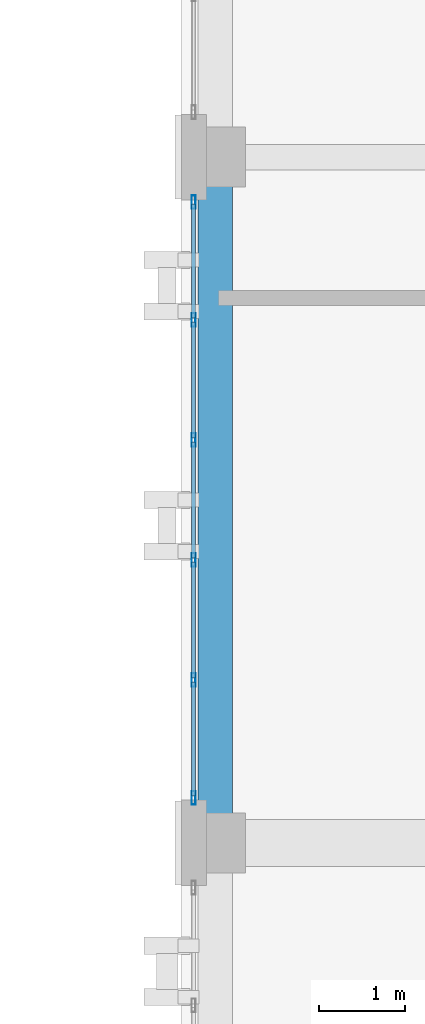
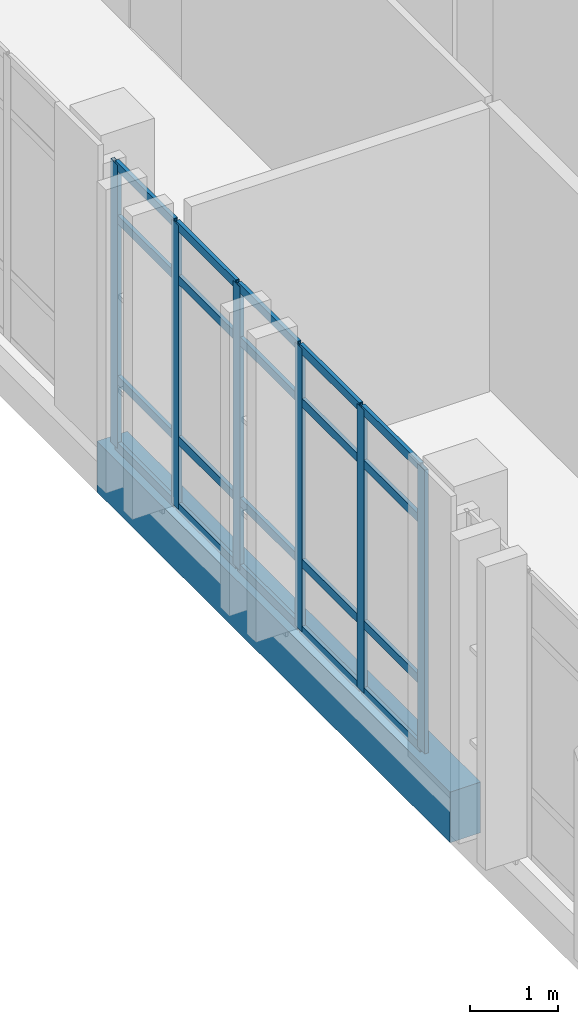
# One storey, part 58 of 165: 26 members, 1 beam, 1 element without a shape of its own.
"""IFC4 building model written with IfcOpenShell, lengths in metres."""

from ifc_helpers import new_model, si_unit, direction, frame, origin, origin_2d, place, context, subcontext, project, spatial, rectangle, hollow_rectangle, extrude, material, layer, layer_set, material_profile, profile_set, type_object, element, aggregate, save


model = new_model("IFC4")

# Units and contexts
model_context = context("Model", 3, precision=1e-05, world=origin(), true_north=direction((0.0, 1.0)))
body_context = subcontext(model_context, "Body", "Model", "MODEL_VIEW")
ifc_project = project(units=[si_unit("LENGTHUNIT", "METRE"), si_unit("AREAUNIT", "SQUARE_METRE"), si_unit("VOLUMEUNIT", "CUBIC_METRE"), si_unit("PLANEANGLEUNIT", "RADIAN"), si_unit("MASSUNIT", "GRAM", prefix="KILO")], contexts=[model_context])

# Site, building, storey
site_placement = place(None, origin())
site = spatial("IfcSite", under=ifc_project, at=site_placement, CompositionType="ELEMENT")
building_placement = place(site_placement, origin())
building = spatial("IfcBuilding", under=site, at=building_placement, Name="Qalavern Law Courts", CompositionType="ELEMENT")
storey_placement = place(building_placement, frame((0.0, 0.0, 14.39990234375)))
storey = spatial("IfcBuildingStorey", under=building, at=storey_placement, Name="L03", CompositionType="ELEMENT", Elevation=14.39990234375)

# Curtain wall, members
ifc_material_1 = material(Name="Anodised aluminium and insulated glazing", Category="aluminium")
ifc_layer = layer(ifc_material_1, 0.172119140625)
ifc_layer_set = layer_set([ifc_layer], Name="Anodised aluminium and insulated glazing")
curtain_wall_type = type_object("IfcCurtainWallType", Name="ENV-CW-COURT", PredefinedType="USERDEFINED", material=ifc_layer_set)
curtain_wall_placement = place(storey_placement, origin())
curtain_wall = element("IfcCurtainWall", 1, at=curtain_wall_placement, inside=storey, type_object=curtain_wall_type, Name="V4 unitised curtain wall L03 west 5", ObjectType="UNITISED CURTAIN WALL", PredefinedType="USERDEFINED")
ifc_material_2 = material(Name="Anodised aluminium", Category="aluminium")
ifc_material_profile_1 = material_profile(ifc_material_2, hollow_rectangle(XDim=0.048095703125, YDim=0.159912109375, WallThickness=0.00390625, at=origin_2d()), Name="ALU MULLION 48x160")
ifc_profile_set_1 = profile_set([ifc_material_profile_1], Name="Anodised aluminium")
member_type_1 = type_object("IfcMemberType", Name="ENV-CWM-48x160", PredefinedType="MULLION", material=ifc_profile_set_1)
member_1_placement = place(storey_placement, frame((84.347412109375, 56.8759765625, 0.0), z_axis=(0.0, 0.0, 1.0), x_axis=(1.0, 0.0, 0.0)))
member_1 = element("IfcMember", 2, at=member_1_placement, type_object=member_type_1, Name="CW-03 mullion 1", PredefinedType="MULLION", context=body_context, shape_type="SweptSolid", body=[
    extrude(hollow_rectangle(XDim=0.048095703125, YDim=0.159912109375, WallThickness=0.00390625, at=origin_2d()), origin(), (0.0, 0.0, 1.0), 3.920166015625),
])
member_2_placement = place(storey_placement, frame((84.347412109375, 55.5, 0.0), z_axis=(0.0, 0.0, 1.0), x_axis=(1.0, 0.0, 0.0)))
member_2 = element("IfcMember", 3, at=member_2_placement, type_object=member_type_1, Name="CW-03 mullion 2", PredefinedType="MULLION", context=body_context, shape_type="SweptSolid", body=[
    extrude(hollow_rectangle(XDim=0.048095703125, YDim=0.159912109375, WallThickness=0.00390625, at=origin_2d()), origin(), (0.0, 0.0, 1.0), 3.920166015625),
])
member_3_placement = place(storey_placement, frame((84.347412109375, 54.10009765625, 0.0), z_axis=(0.0, 0.0, 1.0), x_axis=(1.0, 0.0, 0.0)))
member_3 = element("IfcMember", 4, at=member_3_placement, type_object=member_type_1, Name="CW-03 mullion 3", PredefinedType="MULLION", context=body_context, shape_type="SweptSolid", body=[
    extrude(hollow_rectangle(XDim=0.048095703125, YDim=0.159912109375, WallThickness=0.00390625, at=origin_2d()), origin(), (0.0, 0.0, 1.0), 3.920166015625),
])
member_4_placement = place(storey_placement, frame((84.347412109375, 52.699951171875, 0.0), z_axis=(0.0, 0.0, 1.0), x_axis=(1.0, 0.0, 0.0)))
member_4 = element("IfcMember", 5, at=member_4_placement, type_object=member_type_1, Name="CW-03 mullion 4", PredefinedType="MULLION", context=body_context, shape_type="SweptSolid", body=[
    extrude(hollow_rectangle(XDim=0.048095703125, YDim=0.159912109375, WallThickness=0.00390625, at=origin_2d()), origin(), (0.0, 0.0, 1.0), 3.920166015625),
])
member_5_placement = place(storey_placement, frame((84.347412109375, 51.300048828125, 0.0), z_axis=(0.0, 0.0, 1.0), x_axis=(1.0, 0.0, 0.0)))
member_5 = element("IfcMember", 6, at=member_5_placement, type_object=member_type_1, Name="CW-03 mullion 5", PredefinedType="MULLION", context=body_context, shape_type="SweptSolid", body=[
    extrude(hollow_rectangle(XDim=0.048095703125, YDim=0.159912109375, WallThickness=0.00390625, at=origin_2d()), origin(), (0.0, 0.0, 1.0), 3.920166015625),
])
member_6_placement = place(storey_placement, frame((84.347412109375, 49.924072265625, 0.0), z_axis=(0.0, 0.0, 1.0), x_axis=(1.0, 0.0, 0.0)))
member_6 = element("IfcMember", 7, at=member_6_placement, type_object=member_type_1, Name="CW-03 mullion 6", PredefinedType="MULLION", context=body_context, shape_type="SweptSolid", body=[
    extrude(hollow_rectangle(XDim=0.048095703125, YDim=0.159912109375, WallThickness=0.00390625, at=origin_2d()), origin(), (0.0, 0.0, 1.0), 3.920166015625),
])
ifc_material_profile_2 = material_profile(ifc_material_2, hollow_rectangle(XDim=0.048095703125, YDim=0.1201171875, WallThickness=0.00390625, at=origin_2d()), Name="ALU TRANSOM 48x120")
ifc_profile_set_2 = profile_set([ifc_material_profile_2], Name="Anodised aluminium")
member_type_2 = type_object("IfcMemberType", Name="ENV-CWT-48x120", PredefinedType="USERDEFINED", material=ifc_profile_set_2)
member_7_placement = place(storey_placement, frame((84.347412109375, 56.85205078125, 0.024169921875), z_axis=(0.0, -1.0, 0.0), x_axis=(1.0, 0.0, 0.0)))
member_7 = element("IfcMember", 8, at=member_7_placement, type_object=member_type_2, Name="CW-03 transom 1.1", ObjectType="TRANSOM", PredefinedType="USERDEFINED", context=body_context, shape_type="SweptSolid", body=[
    extrude(hollow_rectangle(XDim=0.048095703125, YDim=0.1201171875, WallThickness=0.00390625, at=origin_2d()), origin(), (0.0, 0.0, 1.0), 1.328125),
])
member_8_placement = place(storey_placement, frame((84.347412109375, 56.85205078125, 0.9501953125), z_axis=(0.0, -1.0, 0.0), x_axis=(1.0, 0.0, 0.0)))
member_8 = element("IfcMember", 9, at=member_8_placement, type_object=member_type_2, Name="CW-03 transom 1.2", ObjectType="TRANSOM", PredefinedType="USERDEFINED", context=body_context, shape_type="SweptSolid", body=[
    extrude(hollow_rectangle(XDim=0.048095703125, YDim=0.1201171875, WallThickness=0.00390625, at=origin_2d()), origin(), (0.0, 0.0, 1.0), 1.328125),
])
member_9_placement = place(storey_placement, frame((84.347412109375, 56.85205078125, 3.170166015625), z_axis=(0.0, -1.0, 0.0), x_axis=(1.0, 0.0, 0.0)))
member_9 = element("IfcMember", 10, at=member_9_placement, type_object=member_type_2, Name="CW-03 transom 1.3", ObjectType="TRANSOM", PredefinedType="USERDEFINED", context=body_context, shape_type="SweptSolid", body=[
    extrude(hollow_rectangle(XDim=0.048095703125, YDim=0.1201171875, WallThickness=0.00390625, at=origin_2d()), origin(), (0.0, 0.0, 1.0), 1.328125),
])
member_10_placement = place(storey_placement, frame((84.347412109375, 56.85205078125, 3.89599609375), z_axis=(0.0, -1.0, 0.0), x_axis=(1.0, 0.0, 0.0)))
member_10 = element("IfcMember", 11, at=member_10_placement, type_object=member_type_2, Name="CW-03 transom 1.4", ObjectType="TRANSOM", PredefinedType="USERDEFINED", context=body_context, shape_type="SweptSolid", body=[
    extrude(hollow_rectangle(XDim=0.048095703125, YDim=0.1201171875, WallThickness=0.00390625, at=origin_2d()), origin(), (0.0, 0.0, 1.0), 1.328125),
])
member_11_placement = place(storey_placement, frame((84.347412109375, 55.47607421875, 0.024169921875), z_axis=(0.0, -1.0, 0.0), x_axis=(1.0, 0.0, 0.0)))
member_11 = element("IfcMember", 12, at=member_11_placement, type_object=member_type_2, Name="CW-03 transom 2.1", ObjectType="TRANSOM", PredefinedType="USERDEFINED", context=body_context, shape_type="SweptSolid", body=[
    extrude(hollow_rectangle(XDim=0.048095703125, YDim=0.1201171875, WallThickness=0.00390625, at=origin_2d()), origin(), (0.0, 0.0, 1.0), 1.35205078125),
])
member_12_placement = place(storey_placement, frame((84.347412109375, 55.47607421875, 0.9501953125), z_axis=(0.0, -1.0, 0.0), x_axis=(1.0, 0.0, 0.0)))
member_12 = element("IfcMember", 13, at=member_12_placement, type_object=member_type_2, Name="CW-03 transom 2.2", ObjectType="TRANSOM", PredefinedType="USERDEFINED", context=body_context, shape_type="SweptSolid", body=[
    extrude(hollow_rectangle(XDim=0.048095703125, YDim=0.1201171875, WallThickness=0.00390625, at=origin_2d()), origin(), (0.0, 0.0, 1.0), 1.35205078125),
])
member_13_placement = place(storey_placement, frame((84.347412109375, 55.47607421875, 3.170166015625), z_axis=(0.0, -1.0, 0.0), x_axis=(1.0, 0.0, 0.0)))
member_13 = element("IfcMember", 14, at=member_13_placement, type_object=member_type_2, Name="CW-03 transom 2.3", ObjectType="TRANSOM", PredefinedType="USERDEFINED", context=body_context, shape_type="SweptSolid", body=[
    extrude(hollow_rectangle(XDim=0.048095703125, YDim=0.1201171875, WallThickness=0.00390625, at=origin_2d()), origin(), (0.0, 0.0, 1.0), 1.35205078125),
])
member_14_placement = place(storey_placement, frame((84.347412109375, 55.47607421875, 3.89599609375), z_axis=(0.0, -1.0, 0.0), x_axis=(1.0, 0.0, 0.0)))
member_14 = element("IfcMember", 15, at=member_14_placement, type_object=member_type_2, Name="CW-03 transom 2.4", ObjectType="TRANSOM", PredefinedType="USERDEFINED", context=body_context, shape_type="SweptSolid", body=[
    extrude(hollow_rectangle(XDim=0.048095703125, YDim=0.1201171875, WallThickness=0.00390625, at=origin_2d()), origin(), (0.0, 0.0, 1.0), 1.35205078125),
])
member_15_placement = place(storey_placement, frame((84.347412109375, 54.075927734375, 0.024169921875), z_axis=(0.0, -1.0, 0.0), x_axis=(1.0, 0.0, 0.0)))
member_15 = element("IfcMember", 16, at=member_15_placement, type_object=member_type_2, Name="CW-03 transom 3.1", ObjectType="TRANSOM", PredefinedType="USERDEFINED", context=body_context, shape_type="SweptSolid", body=[
    extrude(hollow_rectangle(XDim=0.048095703125, YDim=0.1201171875, WallThickness=0.00390625, at=origin_2d()), origin(), (0.0, 0.0, 1.0), 1.351806640625),
])
member_16_placement = place(storey_placement, frame((84.347412109375, 54.075927734375, 0.9501953125), z_axis=(0.0, -1.0, 0.0), x_axis=(1.0, 0.0, 0.0)))
member_16 = element("IfcMember", 17, at=member_16_placement, type_object=member_type_2, Name="CW-03 transom 3.2", ObjectType="TRANSOM", PredefinedType="USERDEFINED", context=body_context, shape_type="SweptSolid", body=[
    extrude(hollow_rectangle(XDim=0.048095703125, YDim=0.1201171875, WallThickness=0.00390625, at=origin_2d()), origin(), (0.0, 0.0, 1.0), 1.351806640625),
])
member_17_placement = place(storey_placement, frame((84.347412109375, 54.075927734375, 3.170166015625), z_axis=(0.0, -1.0, 0.0), x_axis=(1.0, 0.0, 0.0)))
member_17 = element("IfcMember", 18, at=member_17_placement, type_object=member_type_2, Name="CW-03 transom 3.3", ObjectType="TRANSOM", PredefinedType="USERDEFINED", context=body_context, shape_type="SweptSolid", body=[
    extrude(hollow_rectangle(XDim=0.048095703125, YDim=0.1201171875, WallThickness=0.00390625, at=origin_2d()), origin(), (0.0, 0.0, 1.0), 1.351806640625),
])
member_18_placement = place(storey_placement, frame((84.347412109375, 54.075927734375, 3.89599609375), z_axis=(0.0, -1.0, 0.0), x_axis=(1.0, 0.0, 0.0)))
member_18 = element("IfcMember", 19, at=member_18_placement, type_object=member_type_2, Name="CW-03 transom 3.4", ObjectType="TRANSOM", PredefinedType="USERDEFINED", context=body_context, shape_type="SweptSolid", body=[
    extrude(hollow_rectangle(XDim=0.048095703125, YDim=0.1201171875, WallThickness=0.00390625, at=origin_2d()), origin(), (0.0, 0.0, 1.0), 1.351806640625),
])
member_19_placement = place(storey_placement, frame((84.347412109375, 52.676025390625, 0.024169921875), z_axis=(0.0, -1.0, 0.0), x_axis=(1.0, 0.0, 0.0)))
member_19 = element("IfcMember", 20, at=member_19_placement, type_object=member_type_2, Name="CW-03 transom 4.1", ObjectType="TRANSOM", PredefinedType="USERDEFINED", context=body_context, shape_type="SweptSolid", body=[
    extrude(hollow_rectangle(XDim=0.048095703125, YDim=0.1201171875, WallThickness=0.00390625, at=origin_2d()), origin(), (0.0, 0.0, 1.0), 1.35205078125),
])
member_20_placement = place(storey_placement, frame((84.347412109375, 52.676025390625, 0.9501953125), z_axis=(0.0, -1.0, 0.0), x_axis=(1.0, 0.0, 0.0)))
member_20 = element("IfcMember", 21, at=member_20_placement, type_object=member_type_2, Name="CW-03 transom 4.2", ObjectType="TRANSOM", PredefinedType="USERDEFINED", context=body_context, shape_type="SweptSolid", body=[
    extrude(hollow_rectangle(XDim=0.048095703125, YDim=0.1201171875, WallThickness=0.00390625, at=origin_2d()), origin(), (0.0, 0.0, 1.0), 1.35205078125),
])
member_21_placement = place(storey_placement, frame((84.347412109375, 52.676025390625, 3.170166015625), z_axis=(0.0, -1.0, 0.0), x_axis=(1.0, 0.0, 0.0)))
member_21 = element("IfcMember", 22, at=member_21_placement, type_object=member_type_2, Name="CW-03 transom 4.3", ObjectType="TRANSOM", PredefinedType="USERDEFINED", context=body_context, shape_type="SweptSolid", body=[
    extrude(hollow_rectangle(XDim=0.048095703125, YDim=0.1201171875, WallThickness=0.00390625, at=origin_2d()), origin(), (0.0, 0.0, 1.0), 1.35205078125),
])
member_22_placement = place(storey_placement, frame((84.347412109375, 52.676025390625, 3.89599609375), z_axis=(0.0, -1.0, 0.0), x_axis=(1.0, 0.0, 0.0)))
member_22 = element("IfcMember", 23, at=member_22_placement, type_object=member_type_2, Name="CW-03 transom 4.4", ObjectType="TRANSOM", PredefinedType="USERDEFINED", context=body_context, shape_type="SweptSolid", body=[
    extrude(hollow_rectangle(XDim=0.048095703125, YDim=0.1201171875, WallThickness=0.00390625, at=origin_2d()), origin(), (0.0, 0.0, 1.0), 1.35205078125),
])
member_23_placement = place(storey_placement, frame((84.347412109375, 51.27587890625, 0.024169921875), z_axis=(0.0, -1.0, 0.0), x_axis=(1.0, 0.0, 0.0)))
member_23 = element("IfcMember", 24, at=member_23_placement, type_object=member_type_2, Name="CW-03 transom 5.1", ObjectType="TRANSOM", PredefinedType="USERDEFINED", context=body_context, shape_type="SweptSolid", body=[
    extrude(hollow_rectangle(XDim=0.048095703125, YDim=0.1201171875, WallThickness=0.00390625, at=origin_2d()), origin(), (0.0, 0.0, 1.0), 1.327880859375),
])
member_24_placement = place(storey_placement, frame((84.347412109375, 51.27587890625, 0.9501953125), z_axis=(0.0, -1.0, 0.0), x_axis=(1.0, 0.0, 0.0)))
member_24 = element("IfcMember", 25, at=member_24_placement, type_object=member_type_2, Name="CW-03 transom 5.2", ObjectType="TRANSOM", PredefinedType="USERDEFINED", context=body_context, shape_type="SweptSolid", body=[
    extrude(hollow_rectangle(XDim=0.048095703125, YDim=0.1201171875, WallThickness=0.00390625, at=origin_2d()), origin(), (0.0, 0.0, 1.0), 1.327880859375),
])
member_25_placement = place(storey_placement, frame((84.347412109375, 51.27587890625, 3.170166015625), z_axis=(0.0, -1.0, 0.0), x_axis=(1.0, 0.0, 0.0)))
member_25 = element("IfcMember", 26, at=member_25_placement, type_object=member_type_2, Name="CW-03 transom 5.3", ObjectType="TRANSOM", PredefinedType="USERDEFINED", context=body_context, shape_type="SweptSolid", body=[
    extrude(hollow_rectangle(XDim=0.048095703125, YDim=0.1201171875, WallThickness=0.00390625, at=origin_2d()), origin(), (0.0, 0.0, 1.0), 1.327880859375),
])
member_26_placement = place(storey_placement, frame((84.347412109375, 51.27587890625, 3.89599609375), z_axis=(0.0, -1.0, 0.0), x_axis=(1.0, 0.0, 0.0)))
member_26 = element("IfcMember", 27, at=member_26_placement, type_object=member_type_2, Name="CW-03 transom 5.4", ObjectType="TRANSOM", PredefinedType="USERDEFINED", context=body_context, shape_type="SweptSolid", body=[
    extrude(hollow_rectangle(XDim=0.048095703125, YDim=0.1201171875, WallThickness=0.00390625, at=origin_2d()), origin(), (0.0, 0.0, 1.0), 1.327880859375),
])
aggregate(curtain_wall, [member_1, member_2, member_3, member_4, member_5, member_6, member_7, member_8, member_9, member_10, member_11, member_12, member_13, member_14, member_15, member_16, member_17, member_18, member_19, member_20, member_21, member_22, member_23, member_24, member_25, member_26])

# Beam
ifc_material_3 = material(Name="Concrete C40/50", Category="concrete")
ifc_material_profile_3 = material_profile(ifc_material_3, rectangle(XDim=0.39990234375, YDim=0.699951171875, at=origin_2d()), Name="RC 400x700")
ifc_profile_set_3 = profile_set([ifc_material_profile_3], Name="Concrete C40/50")
beam_type = type_object("IfcBeamType", Name="STR-SP-RC400x700", PredefinedType="SPANDREL", material=ifc_profile_set_3)
beam_placement = place(storey_placement, frame((84.60009765625, 49.39990234375, -0.635009765625), z_axis=(0.0, 1.0, 0.0), x_axis=(-1.0, 0.0, 0.0)))
element("IfcBeam", 28, at=beam_placement, inside=storey, type_object=beam_type, Name="V4 Y-beam 1-2 L03", PredefinedType="SPANDREL", context=body_context, shape_type="SweptSolid", body=[
    extrude(rectangle(XDim=0.39990234375, YDim=0.699951171875, at=origin_2d()), origin(), (0.0, 0.0, 1.0), 8.0),
])

save(model, "model.ifc")
